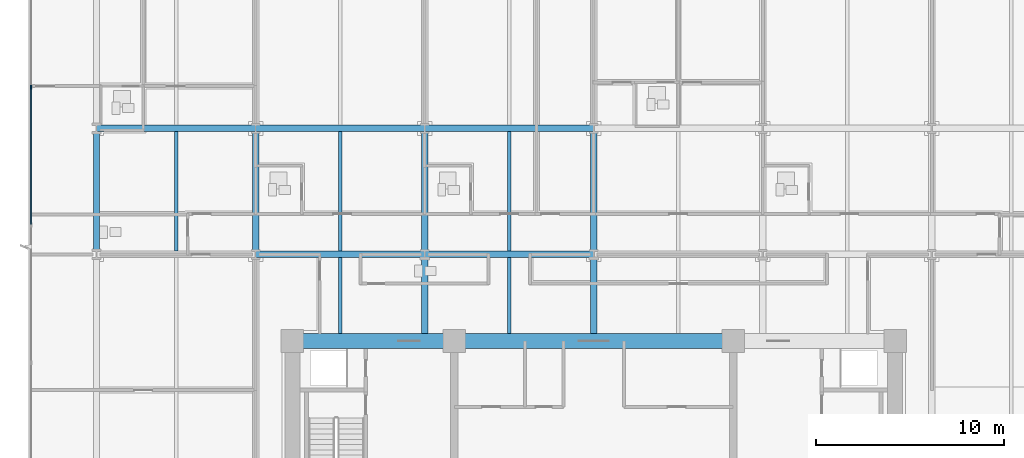
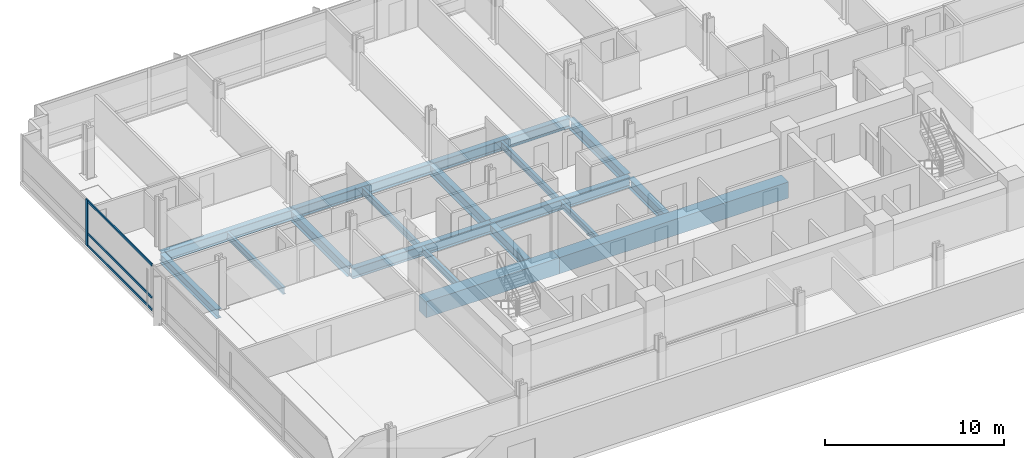
# One storey, part 3 of 15: 18 beams, 4 members, 1 element without a shape of its own.
"""IFC4 building model written with IfcOpenShell, lengths in metres."""

from ifc_helpers import new_model, si_unit, direction, frame, origin, origin_2d, place, context, subcontext, project, spatial, rectangle, i_section, extrude, material, material_profile, profile_set, type_object, element, aggregate, save


model = new_model("IFC4")

# Units and contexts
model_context = context("Model", 3, precision=1e-05, world=origin(), true_north=direction((0.0, 1.0)))
body_context = subcontext(model_context, "Body", "Model", "MODEL_VIEW")
ifc_project = project(units=[si_unit("LENGTHUNIT", "METRE"), si_unit("AREAUNIT", "SQUARE_METRE"), si_unit("VOLUMEUNIT", "CUBIC_METRE"), si_unit("PLANEANGLEUNIT", "RADIAN"), si_unit("MASSUNIT", "GRAM", prefix="KILO")], contexts=[model_context])

# Site, building, storey
site_placement = place(None, origin())
site = spatial("IfcSite", under=ifc_project, at=site_placement, CompositionType="ELEMENT")
building_placement = place(site_placement, origin())
building = spatial("IfcBuilding", under=site, at=building_placement, Name="Solmavex Isthmus Hotel", CompositionType="ELEMENT")
storey_placement = place(building_placement, frame((0.0, 0.0, 33.300048828125)))
storey = spatial("IfcBuildingStorey", under=building, at=storey_placement, Name="L08", CompositionType="ELEMENT", Elevation=33.300048828125)

# Beams
ifc_material_1 = material(Name="Steel ASTM A992 Grade 50", Category="steel")
ifc_material_profile_1 = material_profile(ifc_material_1, i_section(OverallWidth=0.354736328125, OverallDepth=0.695556640625, WebThickness=0.015380859375, FlangeThickness=0.02490234375, FilletRadius=0.017822265625, at=origin_2d()), Name="W27X146")
ifc_profile_set_1 = profile_set([ifc_material_profile_1], Name="Steel ASTM A992 Grade 50")
beam_type_1 = type_object("IfcBeamType", Name="BM-BG-W27X146", PredefinedType="BEAM", material=ifc_profile_set_1)
beam_1_placement = place(storey_placement, frame((-17.951904296875, 2.10009765625, -0.60791015625), z_axis=(1.0, 0.0, 0.0), x_axis=(0.0, 1.0, 0.0)))
element("IfcBeam", 1, at=beam_1_placement, inside=storey, type_object=beam_type_1, Name="Floor Girder L08-UG08", PredefinedType="BEAM", context=body_context, shape_type="SweptSolid", body=[
    extrude(i_section(OverallWidth=0.354736328125, OverallDepth=0.695556640625, WebThickness=0.015380859375, FlangeThickness=0.02490234375, FilletRadius=0.017822265625, at=origin_2d()), origin(), (0.0, 0.0, 1.0), 8.975830078125),
])
beam_2_placement = place(storey_placement, frame((-8.97607421875, 2.10009765625, -0.60791015625), z_axis=(1.0, 0.0, 0.0), x_axis=(0.0, 1.0, 0.0)))
element("IfcBeam", 2, at=beam_2_placement, inside=storey, type_object=beam_type_1, Name="Floor Girder L08-UG09", PredefinedType="BEAM", context=body_context, shape_type="SweptSolid", body=[
    extrude(i_section(OverallWidth=0.354736328125, OverallDepth=0.695556640625, WebThickness=0.015380859375, FlangeThickness=0.02490234375, FilletRadius=0.017822265625, at=origin_2d()), origin(), (0.0, 0.0, 1.0), 8.97607421875),
])
beam_3_placement = place(storey_placement, frame((-26.39990234375, 8.7880859375, -0.60791015625), z_axis=(1.0, 0.0, 0.0), x_axis=(0.0, 1.0, 0.0)))
element("IfcBeam", 3, at=beam_3_placement, inside=storey, type_object=beam_type_1, Name="Floor Girder L08-UG13", PredefinedType="BEAM", context=body_context, shape_type="SweptSolid", body=[
    extrude(i_section(OverallWidth=0.354736328125, OverallDepth=0.695556640625, WebThickness=0.015380859375, FlangeThickness=0.02490234375, FilletRadius=0.017822265625, at=origin_2d()), origin(), (0.0, 0.0, 1.0), 8.447998046875),
])
beam_4_placement = place(storey_placement, frame((-17.951904296875, 8.7880859375, -0.60791015625), z_axis=(1.0, 0.0, 0.0), x_axis=(0.0, 1.0, 0.0)))
element("IfcBeam", 4, at=beam_4_placement, inside=storey, type_object=beam_type_1, Name="Floor Girder L08-UG14", PredefinedType="BEAM", context=body_context, shape_type="SweptSolid", body=[
    extrude(i_section(OverallWidth=0.354736328125, OverallDepth=0.695556640625, WebThickness=0.015380859375, FlangeThickness=0.02490234375, FilletRadius=0.017822265625, at=origin_2d()), origin(), (0.0, 0.0, 1.0), 8.975830078125),
])
beam_5_placement = place(storey_placement, frame((-8.97607421875, 8.7880859375, -0.60791015625), z_axis=(1.0, 0.0, 0.0), x_axis=(0.0, 1.0, 0.0)))
element("IfcBeam", 5, at=beam_5_placement, inside=storey, type_object=beam_type_1, Name="Floor Girder L08-UG15", PredefinedType="BEAM", context=body_context, shape_type="SweptSolid", body=[
    extrude(i_section(OverallWidth=0.354736328125, OverallDepth=0.695556640625, WebThickness=0.015380859375, FlangeThickness=0.02490234375, FilletRadius=0.017822265625, at=origin_2d()), origin(), (0.0, 0.0, 1.0), 8.97607421875),
])
beam_6_placement = place(storey_placement, frame((-17.951904296875, 2.27734375, -0.60791015625), z_axis=(0.0, 1.0, 0.0), x_axis=(-1.0, 0.0, 0.0)))
element("IfcBeam", 6, at=beam_6_placement, inside=storey, type_object=beam_type_1, Name="Floor Beam L08-VG29", PredefinedType="BEAM", context=body_context, shape_type="SweptSolid", body=[
    extrude(i_section(OverallWidth=0.354736328125, OverallDepth=0.695556640625, WebThickness=0.015380859375, FlangeThickness=0.02490234375, FilletRadius=0.017822265625, at=origin_2d()), origin(), (0.0, 0.0, 1.0), 6.333251953125),
])
beam_7_placement = place(storey_placement, frame((-8.97607421875, -2.10009765625, -0.60791015625), z_axis=(0.0, 1.0, 0.0), x_axis=(-1.0, 0.0, 0.0)))
element("IfcBeam", 7, at=beam_7_placement, inside=storey, type_object=beam_type_1, Name="Floor Beam L08-VG32", PredefinedType="BEAM", context=body_context, shape_type="SweptSolid", body=[
    extrude(i_section(OverallWidth=0.354736328125, OverallDepth=0.695556640625, WebThickness=0.015380859375, FlangeThickness=0.02490234375, FilletRadius=0.017822265625, at=origin_2d()), origin(), (0.0, 0.0, 1.0), 4.022705078125),
])
beam_8_placement = place(storey_placement, frame((-8.97607421875, 2.27734375, -0.60791015625), z_axis=(0.0, 1.0, 0.0), x_axis=(-1.0, 0.0, 0.0)))
element("IfcBeam", 8, at=beam_8_placement, inside=storey, type_object=beam_type_1, Name="Floor Beam L08-VG33", PredefinedType="BEAM", context=body_context, shape_type="SweptSolid", body=[
    extrude(i_section(OverallWidth=0.354736328125, OverallDepth=0.695556640625, WebThickness=0.015380859375, FlangeThickness=0.02490234375, FilletRadius=0.017822265625, at=origin_2d()), origin(), (0.0, 0.0, 1.0), 6.333251953125),
])
beam_9_placement = place(storey_placement, frame((0.0, -2.10009765625, -0.60791015625), z_axis=(0.0, 1.0, 0.0), x_axis=(-1.0, 0.0, 0.0)))
element("IfcBeam", 9, at=beam_9_placement, inside=storey, type_object=beam_type_1, Name="Floor Beam L08-VG36", PredefinedType="BEAM", context=body_context, shape_type="SweptSolid", body=[
    extrude(i_section(OverallWidth=0.354736328125, OverallDepth=0.695556640625, WebThickness=0.015380859375, FlangeThickness=0.02490234375, FilletRadius=0.017822265625, at=origin_2d()), origin(), (0.0, 0.0, 1.0), 4.022705078125),
])
beam_10_placement = place(storey_placement, frame((0.0, 2.27734375, -0.60791015625), z_axis=(0.0, 1.0, 0.0), x_axis=(-1.0, 0.0, 0.0)))
element("IfcBeam", 10, at=beam_10_placement, inside=storey, type_object=beam_type_1, Name="Floor Beam L08-VG37", PredefinedType="BEAM", context=body_context, shape_type="SweptSolid", body=[
    extrude(i_section(OverallWidth=0.354736328125, OverallDepth=0.695556640625, WebThickness=0.015380859375, FlangeThickness=0.02490234375, FilletRadius=0.017822265625, at=origin_2d()), origin(), (0.0, 0.0, 1.0), 6.333251953125),
])
ifc_material_profile_2 = material_profile(ifc_material_1, i_section(OverallWidth=0.1904296875, OverallDepth=0.456787109375, WebThickness=0.009033203125, FlangeThickness=0.014404296875, FilletRadius=0.0126953125, at=origin_2d()), Name="W18X50")
ifc_profile_set_2 = profile_set([ifc_material_profile_2], Name="Steel ASTM A992 Grade 50")
beam_type_2 = type_object("IfcBeamType", Name="BM-BJ-W18X50", PredefinedType="JOIST", material=ifc_profile_set_2)
beam_11_placement = place(storey_placement, frame((-22.176025390625, 2.27734375, -0.488525390625), z_axis=(0.0, 1.0, 0.0), x_axis=(-1.0, 0.0, 0.0)))
element("IfcBeam", 11, at=beam_11_placement, inside=storey, type_object=beam_type_2, Name="Secondary Floor Joist L08-J02", PredefinedType="JOIST", context=body_context, shape_type="SweptSolid", body=[
    extrude(i_section(OverallWidth=0.1904296875, OverallDepth=0.456787109375, WebThickness=0.009033203125, FlangeThickness=0.014404296875, FilletRadius=0.0126953125, at=origin_2d()), origin(), (0.0, 0.0, 1.0), 6.333251953125),
])
beam_12_placement = place(storey_placement, frame((-13.464111328125, -2.10009765625, -0.488525390625), z_axis=(0.0, 1.0, 0.0), x_axis=(-1.0, 0.0, 0.0)))
element("IfcBeam", 12, at=beam_12_placement, inside=storey, type_object=beam_type_2, Name="Secondary Floor Joist L08-J05", PredefinedType="JOIST", context=body_context, shape_type="SweptSolid", body=[
    extrude(i_section(OverallWidth=0.1904296875, OverallDepth=0.456787109375, WebThickness=0.009033203125, FlangeThickness=0.014404296875, FilletRadius=0.0126953125, at=origin_2d()), origin(), (0.0, 0.0, 1.0), 4.022705078125),
])
beam_13_placement = place(storey_placement, frame((-13.464111328125, 2.27734375, -0.488525390625), z_axis=(0.0, 1.0, 0.0), x_axis=(-1.0, 0.0, 0.0)))
element("IfcBeam", 13, at=beam_13_placement, inside=storey, type_object=beam_type_2, Name="Secondary Floor Joist L08-J06", PredefinedType="JOIST", context=body_context, shape_type="SweptSolid", body=[
    extrude(i_section(OverallWidth=0.1904296875, OverallDepth=0.456787109375, WebThickness=0.009033203125, FlangeThickness=0.014404296875, FilletRadius=0.0126953125, at=origin_2d()), origin(), (0.0, 0.0, 1.0), 6.333251953125),
])
beam_14_placement = place(storey_placement, frame((-4.488037109375, -2.10009765625, -0.488525390625), z_axis=(0.0, 1.0, 0.0), x_axis=(-1.0, 0.0, 0.0)))
element("IfcBeam", 14, at=beam_14_placement, inside=storey, type_object=beam_type_2, Name="Secondary Floor Joist L08-J09", PredefinedType="JOIST", context=body_context, shape_type="SweptSolid", body=[
    extrude(i_section(OverallWidth=0.1904296875, OverallDepth=0.456787109375, WebThickness=0.009033203125, FlangeThickness=0.014404296875, FilletRadius=0.0126953125, at=origin_2d()), origin(), (0.0, 0.0, 1.0), 4.022705078125),
])
beam_15_placement = place(storey_placement, frame((-4.488037109375, 2.27734375, -0.488525390625), z_axis=(0.0, 1.0, 0.0), x_axis=(-1.0, 0.0, 0.0)))
element("IfcBeam", 15, at=beam_15_placement, inside=storey, type_object=beam_type_2, Name="Secondary Floor Joist L08-J10", PredefinedType="JOIST", context=body_context, shape_type="SweptSolid", body=[
    extrude(i_section(OverallWidth=0.1904296875, OverallDepth=0.456787109375, WebThickness=0.009033203125, FlangeThickness=0.014404296875, FilletRadius=0.0126953125, at=origin_2d()), origin(), (0.0, 0.0, 1.0), 6.333251953125),
])
ifc_material_2 = material(Name="Concrete C70/85", Category="concrete")
ifc_material_profile_3 = material_profile(ifc_material_2, rectangle(XDim=0.800048828125, YDim=1.10009765625, at=origin_2d()), Name="RC800X1100")
ifc_profile_set_3 = profile_set([ifc_material_profile_3], Name="Concrete C70/85")
beam_type_3 = type_object("IfcBeamType", Name="BM-CB-800X1100", PredefinedType="BEAM", material=ifc_profile_set_3)
beam_16_placement = place(storey_placement, frame((-16.0, -2.5, -0.81005859375), z_axis=(1.0, 0.0, 0.0), x_axis=(0.0, 1.0, 0.0)))
element("IfcBeam", 16, at=beam_16_placement, inside=storey, type_object=beam_type_3, Name="Core Coupling Beam L08-CB4", PredefinedType="BEAM", context=body_context, shape_type="SweptSolid", body=[
    extrude(rectangle(XDim=0.800048828125, YDim=1.10009765625, at=origin_2d()), origin(), (0.0, 0.0, 1.0), 8.60009765625),
])
beam_17_placement = place(storey_placement, frame((-7.39990234375, -2.5, -0.81005859375), z_axis=(1.0, 0.0, 0.0), x_axis=(0.0, 1.0, 0.0)))
element("IfcBeam", 17, at=beam_17_placement, inside=storey, type_object=beam_type_3, Name="Core Coupling Beam L08-CB5", PredefinedType="BEAM", context=body_context, shape_type="SweptSolid", body=[
    extrude(rectangle(XDim=0.800048828125, YDim=1.10009765625, at=origin_2d()), origin(), (0.0, 0.0, 1.0), 14.7998046875),
])
ifc_material_profile_4 = material_profile(ifc_material_1, i_section(OverallWidth=0.326416015625, OverallDepth=0.621826171875, WebThickness=0.015380859375, FlangeThickness=0.0244140625, FilletRadius=0.01513671875, at=origin_2d()), Name="W24X131")
ifc_profile_set_4 = profile_set([ifc_material_profile_4], Name="Steel ASTM A992 Grade 50")
beam_type_4 = type_object("IfcBeamType", Name="BM-SP-W24X131", PredefinedType="SPANDREL", material=ifc_profile_set_4)
beam_18_placement = place(storey_placement, frame((-26.39990234375, 2.27734375, -0.571044921875), z_axis=(0.0, 1.0, 0.0), x_axis=(-1.0, 0.0, 0.0)))
element("IfcBeam", 18, at=beam_18_placement, inside=storey, type_object=beam_type_4, Name="Floor Beam L08-VG26", PredefinedType="SPANDREL", context=body_context, shape_type="SweptSolid", body=[
    extrude(i_section(OverallWidth=0.326416015625, OverallDepth=0.621826171875, WebThickness=0.015380859375, FlangeThickness=0.0244140625, FilletRadius=0.01513671875, at=origin_2d()), origin(), (0.0, 0.0, 1.0), 6.333251953125),
])

# Curtain wall, members
ifc_material_3 = material(Name="Aluminium alloy 6063-T6", Category="aluminium")
curtain_wall_type = type_object("IfcCurtainWallType", Name="CW-SYS-02", PredefinedType="NOTDEFINED", material=ifc_material_3)
curtain_wall_placement = place(storey_placement, origin())
curtain_wall = element("IfcCurtainWall", 19, at=curtain_wall_placement, inside=storey, type_object=curtain_wall_type, Name="Stick Curtain Wall CWL-L08-W1", PredefinedType="NOTDEFINED")
ifc_material_profile_5 = material_profile(ifc_material_3, rectangle(XDim=0.074951171875, YDim=0.219970703125, at=origin_2d()), Name="CWM-75X220")
ifc_profile_set_5 = profile_set([ifc_material_profile_5], Name="Aluminium alloy 6063-T6")
member_type_1 = type_object("IfcMemberType", Name="CW-SYS-02-MUL", PredefinedType="MULLION", material=ifc_profile_set_5)
member_1_placement = place(storey_placement, frame((-29.8798828125, 10.97998046875, 0.0), z_axis=(0.0, 0.0, 1.0), x_axis=(-1.0, 0.0, 0.0)))
member_1 = element("IfcMember", 20, at=member_1_placement, type_object=member_type_1, Name="CW-02 mullion 5", PredefinedType="MULLION", context=body_context, shape_type="SweptSolid", body=[
    extrude(rectangle(XDim=0.074951171875, YDim=0.219970703125, at=origin_2d()), origin(), (0.0, 0.0, 1.0), 3.18994140625),
])
ifc_material_profile_6 = material_profile(ifc_material_3, rectangle(XDim=0.074951171875, YDim=0.159912109375, at=origin_2d()), Name="CWT-75X160")
ifc_profile_set_6 = profile_set([ifc_material_profile_6], Name="Aluminium alloy 6063-T6")
member_type_2 = type_object("IfcMemberType", Name="CW-SYS-02-TRN", PredefinedType="USERDEFINED", material=ifc_profile_set_6)
member_2_placement = place(storey_placement, frame((-29.8798828125, 3.697509765625, 0.079833984375), z_axis=(0.0, 1.0, 0.0), x_axis=(-1.0, 0.0, 0.0)))
member_2 = element("IfcMember", 21, at=member_2_placement, type_object=member_type_2, Name="CW-02 transom 4.1", ObjectType="TRANSOM", PredefinedType="USERDEFINED", context=body_context, shape_type="SweptSolid", body=[
    extrude(rectangle(XDim=0.074951171875, YDim=0.159912109375, at=origin_2d()), origin(), (0.0, 0.0, 1.0), 7.244873046875),
])
member_3_placement = place(storey_placement, frame((-29.8798828125, 3.697509765625, 0.89990234375), z_axis=(0.0, 1.0, 0.0), x_axis=(-1.0, 0.0, 0.0)))
member_3 = element("IfcMember", 22, at=member_3_placement, type_object=member_type_2, Name="CW-02 transom 4.2", ObjectType="TRANSOM", PredefinedType="USERDEFINED", context=body_context, shape_type="SweptSolid", body=[
    extrude(rectangle(XDim=0.074951171875, YDim=0.159912109375, at=origin_2d()), origin(), (0.0, 0.0, 1.0), 7.244873046875),
])
member_4_placement = place(storey_placement, frame((-29.8798828125, 3.697509765625, 3.10986328125), z_axis=(0.0, 1.0, 0.0), x_axis=(-1.0, 0.0, 0.0)))
member_4 = element("IfcMember", 23, at=member_4_placement, type_object=member_type_2, Name="CW-02 transom 4.3", ObjectType="TRANSOM", PredefinedType="USERDEFINED", context=body_context, shape_type="SweptSolid", body=[
    extrude(rectangle(XDim=0.074951171875, YDim=0.159912109375, at=origin_2d()), origin(), (0.0, 0.0, 1.0), 7.244873046875),
])
aggregate(curtain_wall, [member_1, member_2, member_3, member_4])

save(model, "model.ifc")
